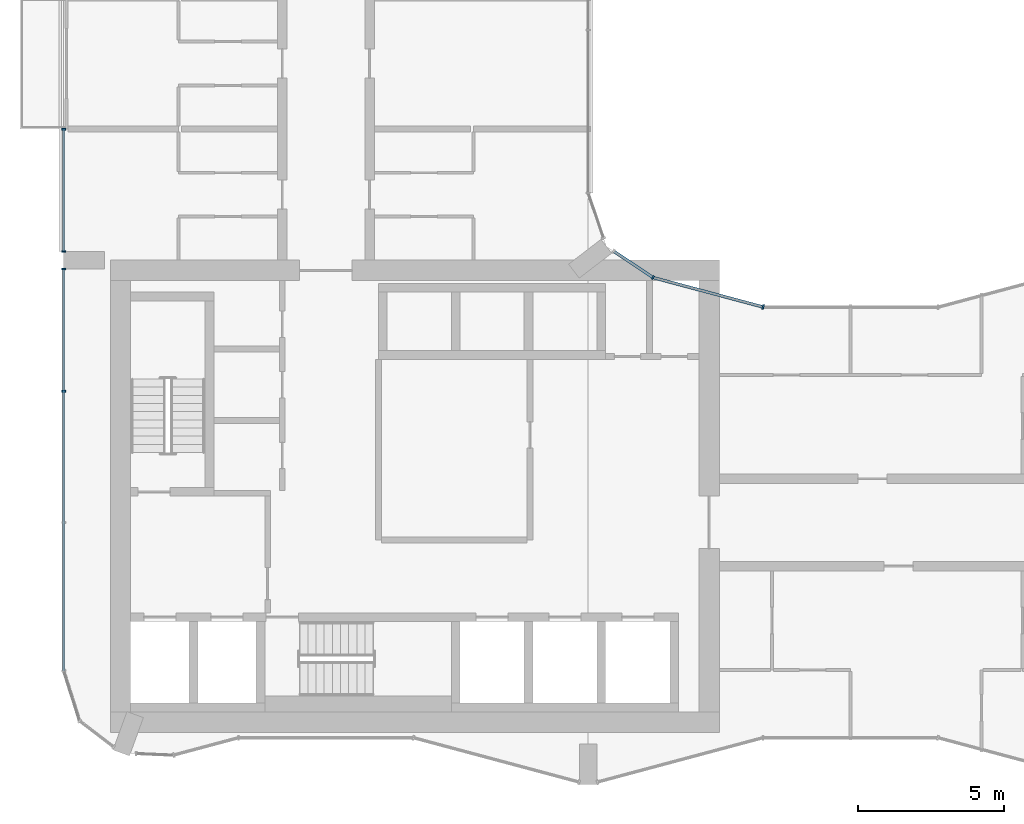
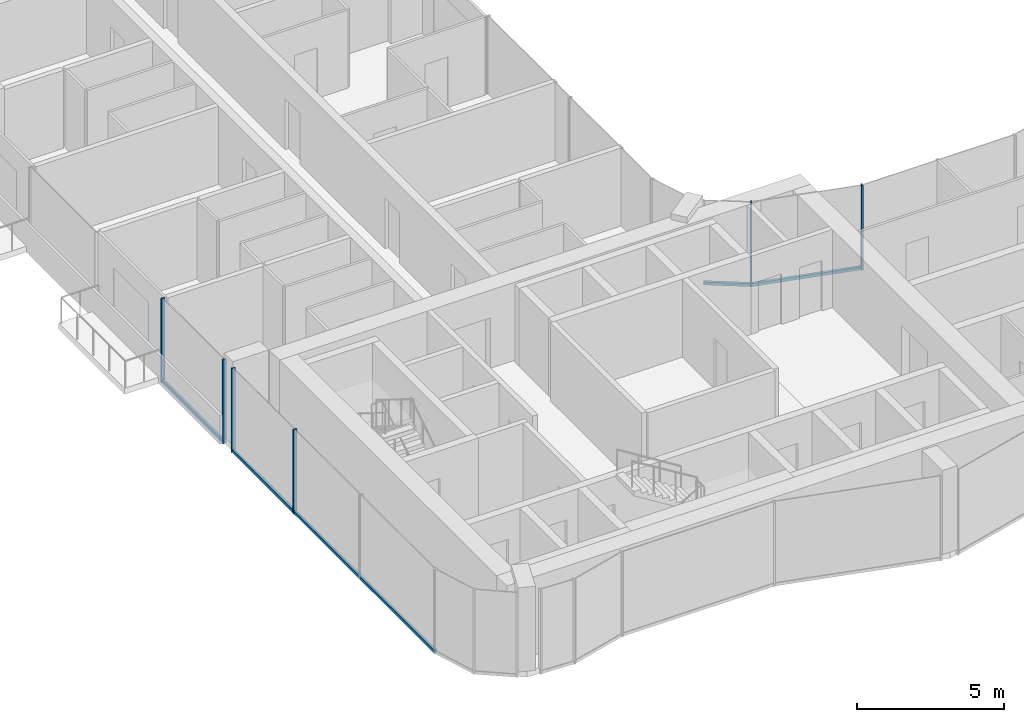
# One storey, part 3 of 23: 10 members, 4 elements without a shape of their own.
"""IFC4 building model written with IfcOpenShell, lengths in metres."""

from ifc_helpers import new_model, si_unit, direction, frame, origin, origin_2d, place, context, subcontext, project, spatial, rectangle, extrude, material, layer, layer_set, material_profile, profile_set, type_object, element, aggregate, save


model = new_model("IFC4")

# Units and contexts
model_context = context("Model", 3, precision=1e-05, world=origin(), true_north=direction((0.0, 1.0)))
body_context = subcontext(model_context, "Body", "Model", "MODEL_VIEW")
ifc_project = project(units=[si_unit("LENGTHUNIT", "METRE"), si_unit("AREAUNIT", "SQUARE_METRE"), si_unit("VOLUMEUNIT", "CUBIC_METRE"), si_unit("PLANEANGLEUNIT", "RADIAN"), si_unit("MASSUNIT", "GRAM", prefix="KILO")], contexts=[model_context])

# Site, building, storey
site_placement = place(None, origin())
site = spatial("IfcSite", under=ifc_project, at=site_placement, CompositionType="ELEMENT")
building_placement = place(site_placement, origin())
building = spatial("IfcBuilding", under=site, at=building_placement, Name="Plateau Cross Towers", CompositionType="ELEMENT")
storey_placement = place(building_placement, frame((0.0, 0.0, 88.800048828125)))
storey = spatial("IfcBuildingStorey", under=building, at=storey_placement, Name="L22", CompositionType="ELEMENT", Elevation=88.800048828125)

# Curtain wall, member
ifc_material_1 = material(Name="Dark low-iron glass", Category="glass")
ifc_layer_1 = layer(ifc_material_1, 0.239990234375)
ifc_layer_set_1 = layer_set([ifc_layer_1], Name="Dark low-iron glass")
curtain_wall_type_1 = type_object("IfcCurtainWallType", Name="Curtain wall flush unitised CW-B", PredefinedType="NOTDEFINED", material=ifc_layer_set_1)
curtain_wall_1_placement = place(storey_placement, origin())
curtain_wall_1 = element("IfcCurtainWall", 1, at=curtain_wall_1_placement, inside=storey, type_object=curtain_wall_type_1, Name="ENV/A/L22/A202_174", PredefinedType="NOTDEFINED")
ifc_material_2 = material(Name="Black anodised aluminium", Category="aluminium")
ifc_material_profile_1 = material_profile(ifc_material_2, rectangle(XDim=0.06005859375, YDim=0.139892578125, at=origin_2d()), Name="MULLION 60x140")
ifc_profile_set_1 = profile_set([ifc_material_profile_1], Name="Black anodised aluminium")
member_type_1 = type_object("IfcMemberType", Name="Mullion 60x140 flush unitised", PredefinedType="MULLION", material=ifc_profile_set_1)
member_1_placement = place(storey_placement, frame((20.223876953125, 17.404296875, -0.25), z_axis=(0.0, 0.0, 1.0), x_axis=(-0.831521253329, 0.555492938984, 0.0)))
member_1 = element("IfcMember", 2, at=member_1_placement, type_object=member_type_1, Name="CW-B mullion 1", PredefinedType="MULLION", context=body_context, shape_type="SweptSolid", body=[
    extrude(rectangle(XDim=0.06005859375, YDim=0.139892578125, at=origin_2d()), origin(), (0.0, 0.0, 1.0), 3.5),
])

# Curtain wall, members
curtain_wall_2_placement = place(storey_placement, origin())
curtain_wall_2 = element("IfcCurtainWall", 3, at=curtain_wall_2_placement, inside=storey, type_object=curtain_wall_type_1, Name="ENV/A/L22/A0_225", PredefinedType="NOTDEFINED")
member_2_placement = place(storey_placement, frame((0.0, 22.489990234375, -0.25), z_axis=(0.0, 0.0, 1.0), x_axis=(0.0, -1.0, 0.0)))
member_2 = element("IfcMember", 4, at=member_2_placement, type_object=member_type_1, Name="CW-B mullion 1", PredefinedType="MULLION", context=body_context, shape_type="SweptSolid", body=[
    extrude(rectangle(XDim=0.06005859375, YDim=0.139892578125, at=origin_2d()), origin(), (0.0, 0.0, 1.0), 3.5),
])
member_3_placement = place(storey_placement, frame((0.0, 18.300048828125, -0.25), z_axis=(0.0, 0.0, 1.0), x_axis=(0.0, -1.0, 0.0)))
member_3 = element("IfcMember", 5, at=member_3_placement, type_object=member_type_1, Name="CW-B mullion 2", PredefinedType="MULLION", context=body_context, shape_type="SweptSolid", body=[
    extrude(rectangle(XDim=0.06005859375, YDim=0.139892578125, at=origin_2d()), origin(), (0.0, 0.0, 1.0), 3.5),
])

curtain_wall_3_placement = place(storey_placement, origin())
curtain_wall_3 = element("IfcCurtainWall", 6, at=curtain_wall_3_placement, inside=storey, type_object=curtain_wall_type_1, Name="ENV/A/L22/A0_177", PredefinedType="NOTDEFINED")
member_4_placement = place(storey_placement, frame((0.0, 17.699951171875, -0.25), z_axis=(0.0, 0.0, 1.0), x_axis=(0.0, -1.0, 0.0)))
member_4 = element("IfcMember", 7, at=member_4_placement, type_object=member_type_1, Name="CW-B mullion 1", PredefinedType="MULLION", context=body_context, shape_type="SweptSolid", body=[
    extrude(rectangle(XDim=0.06005859375, YDim=0.139892578125, at=origin_2d()), origin(), (0.0, 0.0, 1.0), 3.5),
])
member_5_placement = place(storey_placement, frame((0.0, 13.5, -0.25), z_axis=(0.0, 0.0, 1.0), x_axis=(0.0, -1.0, 0.0)))
member_5 = element("IfcMember", 8, at=member_5_placement, type_object=member_type_1, Name="CW-B mullion 2", PredefinedType="MULLION", context=body_context, shape_type="SweptSolid", body=[
    extrude(rectangle(XDim=0.06005859375, YDim=0.139892578125, at=origin_2d()), origin(), (0.0, 0.0, 1.0), 3.5),
])

# Curtain wall, member
ifc_layer_2 = layer(ifc_material_1, 0.260009765625)
ifc_layer_set_2 = layer_set([ifc_layer_2], Name="Dark low-iron glass")
curtain_wall_type_2 = type_object("IfcCurtainWallType", Name="Curtain wall fluted unitised CW-A", PredefinedType="NOTDEFINED", material=ifc_layer_set_2)
curtain_wall_4_placement = place(storey_placement, origin())
curtain_wall_4 = element("IfcCurtainWall", 9, at=curtain_wall_4_placement, inside=storey, type_object=curtain_wall_type_2, Name="ENV/A/L22/A240_164", PredefinedType="NOTDEFINED")
ifc_material_profile_2 = material_profile(ifc_material_2, rectangle(XDim=0.06005859375, YDim=0.159912109375, at=origin_2d()), Name="MULLION 60x160")
ifc_profile_set_2 = profile_set([ifc_material_profile_2], Name="Black anodised aluminium")
member_type_2 = type_object("IfcMemberType", Name="Mullion 60x160 fluted unitised", PredefinedType="MULLION", material=ifc_profile_set_2)
member_6_placement = place(storey_placement, frame((24.0, 16.39306640625, -0.25), z_axis=(0.0, 0.0, 1.0), x_axis=(-0.965957995816, 0.258698956933, 0.0)))
member_6 = element("IfcMember", 10, at=member_6_placement, type_object=member_type_2, Name="CW-A mullion 1", PredefinedType="MULLION", context=body_context, shape_type="SweptSolid", body=[
    extrude(rectangle(XDim=0.06005859375, YDim=0.159912109375, at=origin_2d()), origin(), (0.0, 0.0, 1.0), 3.5),
])

# Member
ifc_material_profile_3 = material_profile(ifc_material_2, rectangle(XDim=0.10009765625, YDim=0.1201171875, at=origin_2d()), Name="TRANSOM 100x120")
ifc_profile_set_3 = profile_set([ifc_material_profile_3], Name="Black anodised aluminium")
member_type_3 = type_object("IfcMemberType", Name="Transom 100x120 flush unitised", PredefinedType="USERDEFINED", material=ifc_profile_set_3)
member_7_placement = place(storey_placement, frame((20.223876953125, 17.404296875, -0.18994140625), z_axis=(-0.831496402487, 0.555530136582, 0.0), x_axis=(-0.555530136582, -0.831496402487, 0.0)))
member_7 = element("IfcMember", 11, at=member_7_placement, type_object=member_type_3, Name="CW-B transom", ObjectType="TRANSOM", PredefinedType="USERDEFINED", context=body_context, shape_type="SweptSolid", body=[
    extrude(rectangle(XDim=0.10009765625, YDim=0.1201171875, at=origin_2d()), origin(), (0.0, 0.0, 1.0), 1.628662109375),
])

aggregate(curtain_wall_1, [member_1, member_7])

member_8_placement = place(storey_placement, frame((0.0, 22.489990234375, -0.18994140625), z_axis=(0.0, -1.0, 0.0), x_axis=(1.0, 0.0, 0.0)))
member_8 = element("IfcMember", 12, at=member_8_placement, type_object=member_type_3, Name="CW-B transom", ObjectType="TRANSOM", PredefinedType="USERDEFINED", context=body_context, shape_type="SweptSolid", body=[
    extrude(rectangle(XDim=0.10009765625, YDim=0.1201171875, at=origin_2d()), origin(), (0.0, 0.0, 1.0), 4.18994140625),
])

aggregate(curtain_wall_2, [member_2, member_3, member_8])

member_9_placement = place(storey_placement, frame((0.0, 17.699951171875, -0.18994140625), z_axis=(0.0, -1.0, 0.0), x_axis=(1.0, 0.0, 0.0)))
member_9 = element("IfcMember", 13, at=member_9_placement, type_object=member_type_3, Name="CW-B transom", ObjectType="TRANSOM", PredefinedType="USERDEFINED", context=body_context, shape_type="SweptSolid", body=[
    extrude(rectangle(XDim=0.10009765625, YDim=0.1201171875, at=origin_2d()), origin(), (0.0, 0.0, 1.0), 13.790771484375),
])

aggregate(curtain_wall_3, [member_4, member_5, member_9])

ifc_material_profile_4 = material_profile(ifc_material_2, rectangle(XDim=0.10009765625, YDim=0.1201171875, at=origin_2d()), Name="TRANSOM 100x120")
ifc_profile_set_4 = profile_set([ifc_material_profile_4], Name="Black anodised aluminium")
member_type_4 = type_object("IfcMemberType", Name="Transom 100x120 fluted unitised", PredefinedType="USERDEFINED", material=ifc_profile_set_4)
member_10_placement = place(storey_placement, frame((24.0, 16.39306640625, -0.18994140625), z_axis=(-0.965962822393, 0.25868093427, 0.0), x_axis=(-0.25868093427, -0.965962822393, 0.0)))
member_10 = element("IfcMember", 14, at=member_10_placement, type_object=member_type_4, Name="CW-A transom", ObjectType="TRANSOM", PredefinedType="USERDEFINED", context=body_context, shape_type="SweptSolid", body=[
    extrude(rectangle(XDim=0.10009765625, YDim=0.1201171875, at=origin_2d()), origin(), (0.0, 0.0, 1.0), 3.9091796875),
])

aggregate(curtain_wall_4, [member_6, member_10])

save(model, "model.ifc")
